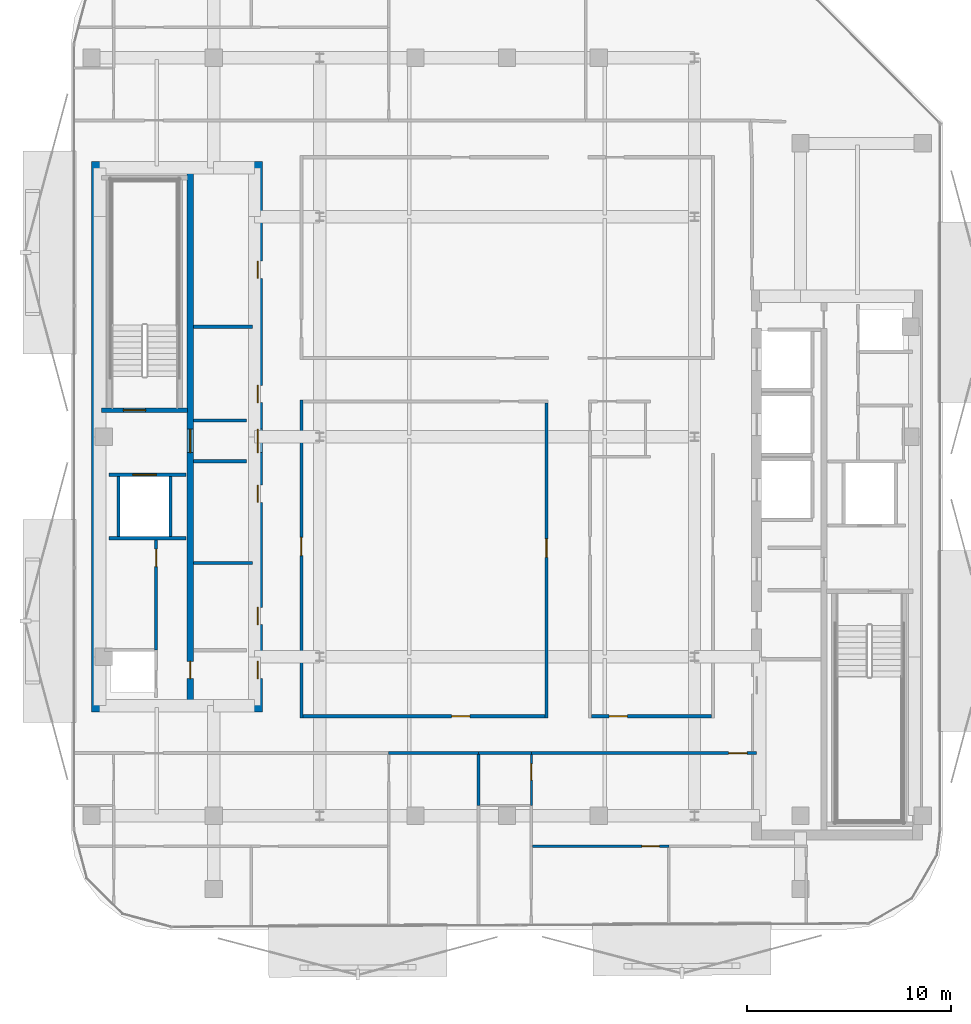
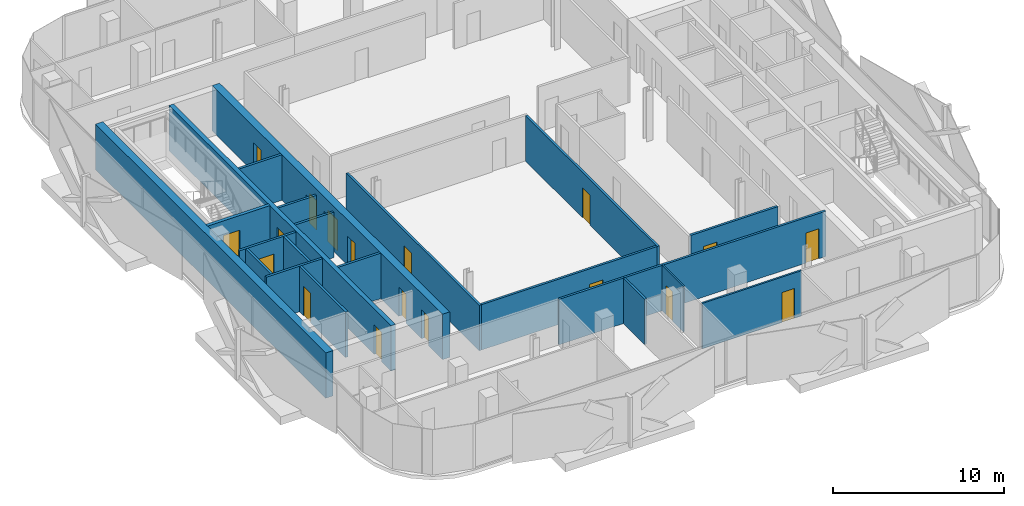
# One storey, part 3 of 15: 23 walls, 18 doors, 18 openings.
"""IFC4 building model written with IfcOpenShell, lengths in metres."""

import ifcopenshell
import ifcopenshell.guid

model = None  # the IFC model being written
_history = None  # IfcOwnerHistory: only IFC2X3 demands one
_inside = {}  # id of a spatial element -> (the spatial element, [elements in it])
_under = {}  # id of a project, library or spatial element -> (it, [spatial elements below it])
_declared = {}  # id of a project -> (the project, [libraries it declares])
_typed = {}  # id of a type object -> (the type object, [elements of that type])
_made_of = {}  # id of a material, layer set ... -> (it, [elements and type objects made of it])


def new_model(schema):
    """Start an empty IFC model of exactly this schema.

    Asked for "IFC4X3", IfcOpenShell would pick the latest addendum, in which some entities
    have other attributes; the version numbers below select the first issue.
    IFC2X3 requires an IfcOwnerHistory on every rooted entity: one is made here for all.
    """
    global model, _history
    if schema == "IFC4X3":
        model = ifcopenshell.file(schema_version=(4, 3, 0, 0))
    else:
        model = ifcopenshell.file(schema=schema)
    _inside.clear()
    _under.clear()
    _declared.clear()
    _typed.clear()
    _made_of.clear()
    _history = None
    if model.schema == "IFC2X3":
        org = make("IfcOrganization", Name="unknown")
        user = make(
            "IfcPersonAndOrganization",
            ThePerson=make("IfcPerson", FamilyName="unknown"),
            TheOrganization=org,
        )
        app = make(
            "IfcApplication",
            ApplicationDeveloper=org,
            Version="unknown",
            ApplicationFullName="unknown",
            ApplicationIdentifier="unknown",
        )
        _history = make(
            "IfcOwnerHistory",
            OwningUser=user,
            OwningApplication=app,
            ChangeAction="ADDED",
            CreationDate=0,
        )
    return model


def make(cls, **values):
    """One entity of the class cls with the attributes given. An attribute that is None is left unset."""
    return model.create_entity(
        cls, **{name: value for name, value in values.items() if value is not None}
    )


def rooted(cls, **values):
    """An entity with a GlobalId (a new one), such as an element, a storey or a relation."""
    return make(cls, GlobalId=ifcopenshell.guid.new(), OwnerHistory=_history, **values)


def si_unit(unit_type, name, prefix=None):
    """IfcSIUnit, for example si_unit("LENGTHUNIT", "METRE", prefix="MILLI")."""
    return make("IfcSIUnit", UnitType=unit_type, Prefix=prefix, Name=name)


def assignment(units):
    """IfcUnitAssignment: the units of a project."""
    return None if units is None else make("IfcUnitAssignment", Units=units)


def point(xyz):
    """IfcCartesianPoint."""
    return None if xyz is None else make("IfcCartesianPoint", Coordinates=xyz)


def direction(xyz):
    """IfcDirection."""
    return None if xyz is None else make("IfcDirection", DirectionRatios=xyz)


def frame(location, z_axis=None, x_axis=None):
    """IfcAxis2Placement3D, a coordinate frame: its origin and axes. An axis left out is left unset."""
    return make(
        "IfcAxis2Placement3D",
        Location=point(location),
        Axis=direction(z_axis),
        RefDirection=direction(x_axis),
    )


def frame_2d(location, x_axis=None):
    """IfcAxis2Placement2D, a coordinate frame in the plane: its origin and x axis."""
    return make(
        "IfcAxis2Placement2D", Location=point(location), RefDirection=direction(x_axis)
    )


def origin():
    """The frame at (0, 0, 0) with its axes left unset."""
    return frame((0.0, 0.0, 0.0))


def place(relative_to, where):
    """IfcLocalPlacement: puts the frame where relative to a parent placement (None: the world)."""
    return make(
        "IfcLocalPlacement", PlacementRelTo=relative_to, RelativePlacement=where
    )


def context(
    kind, dimensions, precision=None, world=None, true_north=None, identifier=None
):
    """IfcGeometricRepresentationContext, for example the 3D "Model" context."""
    return make(
        "IfcGeometricRepresentationContext",
        ContextIdentifier=identifier,
        ContextType=kind,
        CoordinateSpaceDimension=dimensions,
        Precision=precision,
        WorldCoordinateSystem=world,
        TrueNorth=true_north,
    )


def subcontext(parent, identifier, kind, view, scale=None):
    """IfcGeometricRepresentationSubContext, for example "Body" below "Model"."""
    return make(
        "IfcGeometricRepresentationSubContext",
        ContextIdentifier=identifier,
        ContextType=kind,
        ParentContext=parent,
        TargetScale=scale,
        TargetView=view,
    )


def project(units=None, contexts=None):
    """IfcProject with its units and contexts."""
    return rooted(
        "IfcProject",
        Name="project",
        RepresentationContexts=contexts,
        UnitsInContext=assignment(units),
    )


def spatial(cls, under=None, at=None, **own):
    """A site, building, storey or space (cls), placed at a placement, below another one or the project."""
    s = rooted(cls, ObjectPlacement=at, **own)
    if under is not None:
        _under.setdefault(under.id(), (under, []))[1].append(s)
    return s


def profile(cls, at=None, kind="AREA", **sizes):
    """A parametric profile (cls). Its sizes go by their IFC names, for example OverallWidth=200.0."""
    return make(cls, ProfileType=kind, Position=at, **sizes)


def rectangle(**sizes):
    """IfcRectangleProfileDef."""
    return profile("IfcRectangleProfileDef", **sizes)


def extrude(swept, where, along, depth):
    """IfcExtrudedAreaSolid: the profile swept, set in the frame where, extruded along a direction by depth."""
    return make(
        "IfcExtrudedAreaSolid",
        SweptArea=swept,
        Position=where,
        ExtrudedDirection=direction(along),
        Depth=depth,
    )


def shape(context_of_items, identifier, shape_type, items):
    """IfcShapeRepresentation: the items that make up one representation, for example the "Body"."""
    return make(
        "IfcShapeRepresentation",
        ContextOfItems=context_of_items,
        RepresentationIdentifier=identifier,
        RepresentationType=shape_type,
        Items=items,
    )


def material(Name=None, Category=None):
    """IfcMaterial."""
    return make("IfcMaterial", Name=Name, Category=Category)


def layer(
    of_material, thickness, ventilated=None, Name=None, Category=None, Priority=None
):
    """IfcMaterialLayer: one layer of a wall or slab, of a material (None: an air gap)."""
    return make(
        "IfcMaterialLayer",
        Material=of_material,
        LayerThickness=thickness,
        IsVentilated=ventilated,
        Name=Name,
        Category=Category,
        Priority=Priority,
    )


def layer_set(layers, Name=None):
    """IfcMaterialLayerSet."""
    return make("IfcMaterialLayerSet", MaterialLayers=layers, LayerSetName=Name)


def made_of(thing, what):
    """Note that an element or type object is made of a material, layer set ...; save() writes the relation."""
    if what is not None:
        _made_of.setdefault(what.id(), (what, []))[1].append(thing)
    return thing


def type_object(cls, material=None, **own):
    """A type object (cls), such as IfcWallType, which elements share."""
    return made_of(rooted(cls, **own), material)


def element(
    cls,
    number,
    at=None,
    inside=None,
    cuts=None,
    type_object=None,
    material=None,
    context=None,
    identifier="Body",
    shape_type=None,
    held_by="IfcProductDefinitionShape",
    body=None,
    shapes=None,
    **own,
):
    """One element of the class cls, such as IfcWall. Its Tag is "e" and its number.

    at: its placement. inside: the storey or other place that contains it. cuts: it is an
    opening in that element (IfcRelVoidsElement). A single representation is given by context,
    identifier, shape_type and body (its items); several are given by shapes. held_by: the class
    of the entity that holds the representations. save() writes the other relations.
    """
    e = rooted(cls, Tag="e%d" % number, ObjectPlacement=at, **own)
    if body is not None:
        shapes = [shape(context, identifier, shape_type, body)]
    if shapes is not None:
        e.Representation = make(held_by, Representations=shapes)
    if inside is not None:
        _inside.setdefault(inside.id(), (inside, []))[1].append(e)
    if cuts is not None:
        rooted(
            "IfcRelVoidsElement", RelatingBuildingElement=cuts, RelatedOpeningElement=e
        )
    if type_object is not None:
        _typed.setdefault(type_object.id(), (type_object, []))[1].append(e)
    return made_of(e, material)


def fill(opening, filler):
    """IfcRelFillsElement: the door or window that sits in an opening."""
    return rooted(
        "IfcRelFillsElement",
        RelatingOpeningElement=opening,
        RelatedBuildingElement=filler,
    )


def aggregate(whole, parts):
    """IfcRelAggregates: a whole, such as a stair, and the parts it consists of."""
    return rooted("IfcRelAggregates", RelatingObject=whole, RelatedObjects=parts)


def save(model, path):
    """Write the relations noted so far, then the file.

    IfcRelAggregates (storeys below a building ...), IfcRelContainedInSpatialStructure (elements
    in a storey), IfcRelDefinesByType, IfcRelAssociatesMaterial and IfcRelDeclares: one each for
    every whole, place, type object, material and project.
    """
    for whole, parts in _under.values():
        aggregate(whole, parts)
    for where, things in _inside.values():
        rooted(
            "IfcRelContainedInSpatialStructure",
            RelatedElements=things,
            RelatingStructure=where,
        )
    for kind, things in _typed.values():
        rooted("IfcRelDefinesByType", RelatedObjects=things, RelatingType=kind)
    for what, things in _made_of.values():
        rooted("IfcRelAssociatesMaterial", RelatedObjects=things, RelatingMaterial=what)
    for by, libraries in _declared.values():
        rooted("IfcRelDeclares", RelatingContext=by, RelatedDefinitions=libraries)
    model.write(path)


model = new_model("IFC4")

# Units and contexts
model_context = context("Model", 3, precision=1e-05, world=origin(), true_north=direction((0.0, 1.0)))
body_context = subcontext(model_context, "Body", "Model", "MODEL_VIEW")
ifc_project = project(units=[si_unit("LENGTHUNIT", "METRE"), si_unit("AREAUNIT", "SQUARE_METRE"), si_unit("VOLUMEUNIT", "CUBIC_METRE"), si_unit("PLANEANGLEUNIT", "RADIAN"), si_unit("MASSUNIT", "GRAM", prefix="KILO")], contexts=[model_context])

# Site, building, storey
site_placement = place(None, origin())
site = spatial("IfcSite", under=ifc_project, at=site_placement, CompositionType="ELEMENT")
building_placement = place(site_placement, origin())
building = spatial("IfcBuilding", under=site, at=building_placement, Name="Khairoan Windgate Tower", CompositionType="ELEMENT")
storey_placement = place(building_placement, frame((0.0, 0.0, 269.199951171875)))
storey = spatial("IfcBuildingStorey", under=building, at=storey_placement, Name="L64", CompositionType="ELEMENT", Elevation=269.199951171875)

# Wall, opening, door
ifc_material_1 = material(Name="Moisture-Resistant Gypsum Partition", Category="gypsum")
ifc_layer_1 = layer(ifc_material_1, 0.10009765625, Name="Moisture-Resistant Gypsum Partition")
ifc_layer_set_1 = layer_set([ifc_layer_1], Name="Moisture-Resistant Gypsum Partition")
wall_type_1 = type_object("IfcWallType", Name="Bathroom Wet-Area Partition Wall", PredefinedType="PARTITIONING", material=ifc_layer_set_1)
wall_1_placement = place(storey_placement, frame((1.18994140625, -18.10009765625, 0.0), z_axis=(0.0, 0.0, 1.0), x_axis=(0.0, 1.0, 0.0)))
wall_1 = element("IfcWall", 1, at=wall_1_placement, inside=storey, type_object=wall_type_1, Name="L64 Interior Partition 059", PredefinedType="PARTITIONING", context=body_context, shape_type="SweptSolid", body=[
    extrude(rectangle(XDim=2.5, YDim=0.10009765625, at=frame_2d((1.25, 0.0))), origin(), (0.0, 0.0, 1.0), 3.25),
])
opening_1_placement = place(wall_1_placement, frame((1.239990234375, 0.0, 0.0)))
opening_1 = element("IfcOpeningElement", 2, at=opening_1_placement, cuts=wall_1, Name="Opening ID-BTH", PredefinedType="OPENING", context=body_context, shape_type="SweptSolid", body=[
    extrude(rectangle(XDim=0.800048828125, YDim=2.10009765625, at=frame_2d((0.39990234375, 1.050048828125))), frame((0.0, 0.06005859375, 0.0), z_axis=(0.0, -1.0, 0.0), x_axis=(1.0, 0.0, 0.0)), (0.0, 0.0, 1.0), 0.1201171875),
])
ifc_material_2 = material(Name="Teak Veneer Timber Leaf", Category="wood")
door_type_1 = type_object("IfcDoorType", Name="Internal Bathroom Door ID-BTH 800x2100", OperationType="NOTDEFINED", PredefinedType="DOOR", material=ifc_material_2)
door_1_placement = place(opening_1_placement, origin())
door_1 = element("IfcDoor", 3, at=door_1_placement, inside=storey, type_object=door_type_1, Name="L64 L64-46-L64-48 Door", OperationType="SINGLE_SWING_LEFT", OverallHeight=2.10009765625, OverallWidth=0.800048828125, PredefinedType="DOOR", context=body_context, shape_type="SweptSolid", body=[
    extrude(rectangle(XDim=0.800048828125, YDim=2.10009765625, at=frame_2d((0.39990234375, 1.050048828125))), frame((0.0, 0.02490234375, 0.0), z_axis=(0.0, -1.0, 0.0), x_axis=(1.0, 0.0, 0.0)), (0.0, 0.0, 1.0), 0.050048828125),
])
fill(opening_1, door_1)

ifc_material_3 = material(Name="Concrete C40/50", Category="concrete")
ifc_layer_2 = layer(ifc_material_3, 0.159912109375, Name="Concrete C40/50")
ifc_layer_set_2 = layer_set([ifc_layer_2], Name="Concrete C40/50")
wall_type_2 = type_object("IfcWallType", Name="Core and Hoistway Enclosure Wall", PredefinedType="STANDARD", material=ifc_layer_set_2)
wall_2_placement = place(storey_placement, frame((-19.550048828125, -1.860107421875, 0.0), z_axis=(0.0, 0.0, 1.0), x_axis=(1.0, 0.0, 0.0)))
wall_2 = element("IfcWall", 4, at=wall_2_placement, inside=storey, type_object=wall_type_2, Name="L64 Core Shaft Wall SW-FL2-L64", PredefinedType="STANDARD", context=body_context, shape_type="SweptSolid", body=[
    extrude(rectangle(XDim=3.800048828125, YDim=0.159912109375, at=frame_2d((1.89990234375, 0.0))), origin(), (0.0, 0.0, 1.0), 3.25),
])
opening_2_placement = place(wall_2_placement, frame((1.179931640625, 0.0, 0.0)))
opening_2 = element("IfcOpeningElement", 5, at=opening_2_placement, cuts=wall_2, Name="Opening LD-FL", PredefinedType="OPENING", context=body_context, shape_type="SweptSolid", body=[
    extrude(rectangle(XDim=1.14990234375, YDim=2.199951171875, at=frame_2d((0.574951171875, 1.10009765625))), frame((0.0, 0.08984375, 0.0), z_axis=(0.0, -1.0, 0.0), x_axis=(1.0, 0.0, 0.0)), (0.0, 0.0, 1.0), 0.179931640625),
])
ifc_material_4 = material(Name="Steel S355", Category="steel")
door_type_2 = type_object("IfcDoorType", Name="Firefighting Lift Sliding Landing Door LD-FL 1150x2200", OperationType="DOUBLE_DOOR_SLIDING", PredefinedType="DOOR", material=ifc_material_4)
door_2_placement = place(opening_2_placement, origin())
door_2 = element("IfcDoor", 6, at=door_2_placement, inside=storey, type_object=door_type_2, Name="L64 Firefighting Lift FL2 Landing Door", OperationType="DOUBLE_DOOR_SLIDING", OverallHeight=2.199951171875, OverallWidth=1.14990234375, PredefinedType="DOOR", context=body_context, shape_type="SweptSolid", body=[
    extrude(rectangle(XDim=1.14990234375, YDim=2.199951171875, at=frame_2d((0.574951171875, 1.10009765625))), frame((0.0, 0.02490234375, 0.0), z_axis=(0.0, -1.0, 0.0), x_axis=(1.0, 0.0, 0.0)), (0.0, 0.0, 1.0), 0.050048828125),
])
fill(opening_2, door_2)

# Walls
wall_3_placement = place(storey_placement, frame((-19.550048828125, -4.97998046875, 0.0), z_axis=(0.0, 0.0, 1.0), x_axis=(1.0, 0.0, 0.0)))
element("IfcWall", 7, at=wall_3_placement, inside=storey, type_object=wall_type_2, Name="L64 Core Shaft Wall SW-FL2B-L64", PredefinedType="STANDARD", context=body_context, shape_type="SweptSolid", body=[
    extrude(rectangle(XDim=3.800048828125, YDim=0.159912109375, at=frame_2d((1.89990234375, 0.0))), origin(), (0.0, 0.0, 1.0), 3.25),
])
for number, where, z_axis, x_axis, name in (
    (8, (-19.080078125, -4.89990234375, 0.0), (0.0, 0.0, 1.0), (0.0, 1.0, 0.0), "L64 Core Shaft Wall SW-FL2W-L64"),
    (9, (-16.52001953125, -4.89990234375, 0.0), (0.0, 0.0, 1.0), (0.0, 1.0, 0.0), "L64 Core Shaft Wall SW-FL2E-L64"),
):
    element("IfcWall", number, at=place(storey_placement, frame(where, z_axis=z_axis, x_axis=x_axis)), inside=storey, type_object=wall_type_2, Name=name, PredefinedType="STANDARD", context=body_context, shape_type="SweptSolid", body=[
        extrude(rectangle(XDim=2.9599609375, YDim=0.159912109375, at=frame_2d((1.47998046875, 0.0))), origin(), (0.0, 0.0, 1.0), 3.25),
    ])
for number, where, z_axis, x_axis, name in (
    (10, (-15.39990234375, 0.800048828125, 0.0), (0.0, 0.0, 1.0), (1.0, 0.0, 0.0), "L64 Core Shaft Wall SW-WV1-L64"),
    (11, (-15.39990234375, -1.199951171875, 0.0), (0.0, 0.0, 1.0), (1.0, 0.0, 0.0), "L64 Core Shaft Wall SW-WV2-L64"),
):
    element("IfcWall", number, at=place(storey_placement, frame(where, z_axis=z_axis, x_axis=x_axis)), inside=storey, type_object=wall_type_2, Name=name, PredefinedType="STANDARD", context=body_context, shape_type="SweptSolid", body=[
        extrude(rectangle(XDim=2.599853515625, YDim=0.159912109375, at=frame_2d((1.2998046875, 0.0))), origin(), (0.0, 0.0, 1.0), 3.25),
    ])
ifc_material_5 = material(Name="Acoustic Fire-Rated Gypsum Partition", Category="gypsum")
ifc_layer_3 = layer(ifc_material_5, 0.139892578125, Name="Acoustic Fire-Rated Gypsum Partition")
ifc_layer_set_3 = layer_set([ifc_layer_3], Name="Acoustic Fire-Rated Gypsum Partition")
wall_type_3 = type_object("IfcWallType", Name="Inter-Tenancy Compartment Wall", PredefinedType="PARTITIONING", material=ifc_layer_set_3)
wall_4_placement = place(storey_placement, frame((-1.39990234375, -18.10009765625, 0.0), z_axis=(0.0, 0.0, 1.0), x_axis=(0.0, 1.0, 0.0)))
element("IfcWall", 12, at=wall_4_placement, inside=storey, type_object=wall_type_3, Name="L64 Interior Partition 055", PredefinedType="PARTITIONING", context=body_context, shape_type="SweptSolid", body=[
    extrude(rectangle(XDim=2.5, YDim=0.139892578125, at=frame_2d((1.25, 0.0))), origin(), (0.0, 0.0, 1.0), 3.25),
])

# Wall, opening, door
ifc_material_6 = material(Name="Gypsum Stud Partition", Category="gypsum")
ifc_layer_4 = layer(ifc_material_6, 0.1201171875, Name="Gypsum Stud Partition")
ifc_layer_set_4 = layer_set([ifc_layer_4], Name="Gypsum Stud Partition")
wall_type_4 = type_object("IfcWallType", Name="Internal Room Partition Wall", PredefinedType="PARTITIONING", material=ifc_layer_set_4)
wall_5_placement = place(storey_placement, frame((1.25, -20.10009765625, 0.0), z_axis=(0.0, 0.0, 1.0), x_axis=(1.0, 0.0, 0.0)))
wall_5 = element("IfcWall", 13, at=wall_5_placement, inside=storey, type_object=wall_type_4, Name="L64 Interior Partition 062", PredefinedType="PARTITIONING", context=body_context, shape_type="SweptSolid", body=[
    extrude(rectangle(XDim=6.68994140625, YDim=0.1201171875, at=frame_2d((3.344970703125, 0.0))), origin(), (0.0, 0.0, 1.0), 3.25),
])
opening_3_placement = place(wall_5_placement, frame((5.3701171875, 0.0, 0.0)))
opening_3 = element("IfcOpeningElement", 14, at=opening_3_placement, cuts=wall_5, Name="Opening ID-RM", PredefinedType="OPENING", context=body_context, shape_type="SweptSolid", body=[
    extrude(rectangle(XDim=0.860107421875, YDim=2.14990234375, at=frame_2d((0.43017578125, 1.074951171875))), frame((0.0, 0.070068359375, 0.0), z_axis=(0.0, -1.0, 0.0), x_axis=(1.0, 0.0, 0.0)), (0.0, 0.0, 1.0), 0.14013671875),
])
ifc_material_7 = material(Name="Teak Veneer Timber Leaf", Category="wood")
door_type_3 = type_object("IfcDoorType", Name="Internal Bedroom and Office Door ID-RM 860x2150", OperationType="NOTDEFINED", PredefinedType="DOOR", material=ifc_material_7)
door_3_placement = place(opening_3_placement, origin())
door_3 = element("IfcDoor", 15, at=door_3_placement, inside=storey, type_object=door_type_3, Name="L64 L64-48-L64-50 Door", OperationType="SINGLE_SWING_LEFT", OverallHeight=2.14990234375, OverallWidth=0.860107421875, PredefinedType="DOOR", context=body_context, shape_type="SweptSolid", body=[
    extrude(rectangle(XDim=0.860107421875, YDim=2.14990234375, at=frame_2d((0.43017578125, 1.074951171875))), frame((0.0, 0.02490234375, 0.0), z_axis=(0.0, -1.0, 0.0), x_axis=(1.0, 0.0, 0.0)), (0.0, 0.0, 1.0), 0.050048828125),
])
fill(opening_3, door_3)

ifc_material_8 = material(Name="Concrete C40/50", Category="concrete")
ifc_layer_5 = layer(ifc_material_8, 0.159912109375, Name="Concrete C40/50")
ifc_layer_set_5 = layer_set([ifc_layer_5], Name="Concrete C40/50")
wall_type_5 = type_object("IfcWallType", Name="Plant and Refuge Compartment Wall", PredefinedType="PARTITIONING", material=ifc_layer_set_5)
wall_6_placement = place(storey_placement, frame((-17.22998046875, -10.469970703125, 0.0), z_axis=(0.0, 0.0, 1.0), x_axis=(0.0, 1.0, 0.0)))
wall_6 = element("IfcWall", 16, at=wall_6_placement, inside=storey, type_object=wall_type_5, Name="L64 Interior Partition 002", PredefinedType="PARTITIONING", context=body_context, shape_type="SweptSolid", body=[
    extrude(rectangle(XDim=5.409912109375, YDim=0.159912109375, at=frame_2d((2.705078125, 0.0))), origin(), (0.0, 0.0, 1.0), 3.25),
])
opening_4_placement = place(wall_6_placement, frame((4.10009765625, 0.0, 0.0)))
opening_4 = element("IfcOpeningElement", 17, at=opening_4_placement, cuts=wall_6, Name="Opening FD-SRV", PredefinedType="OPENING", context=body_context, shape_type="SweptSolid", body=[
    extrude(rectangle(XDim=0.85009765625, YDim=2.10009765625, at=frame_2d((0.425048828125, 1.050048828125))), frame((0.0, 0.08984375, 0.0), z_axis=(0.0, -1.0, 0.0), x_axis=(1.0, 0.0, 0.0)), (0.0, 0.0, 1.0), 0.179931640625),
])
ifc_material_9 = material(Name="Steel S355", Category="steel")
door_type_4 = type_object("IfcDoorType", Name="Core Service and Riser Fire Door FD-SRV 850x2100", OperationType="NOTDEFINED", PredefinedType="DOOR", material=ifc_material_9)
door_4_placement = place(opening_4_placement, origin())
door_4 = element("IfcDoor", 18, at=door_4_placement, inside=storey, type_object=door_type_4, Name="L64 L64-04-L64-06 Door", OperationType="SINGLE_SWING_LEFT", OverallHeight=2.10009765625, OverallWidth=0.85009765625, PredefinedType="DOOR", context=body_context, shape_type="SweptSolid", body=[
    extrude(rectangle(XDim=0.85009765625, YDim=2.10009765625, at=frame_2d((0.425048828125, 1.050048828125))), frame((0.0, 0.02490234375, 0.0), z_axis=(0.0, -1.0, 0.0), x_axis=(1.0, 0.0, 0.0)), (0.0, 0.0, 1.0), 0.050048828125),
])
fill(opening_4, door_4)

# Walls
for number, where, z_axis, x_axis, name in (
    (19, (-15.39990234375, 5.39990234375, 0.0), (0.0, 0.0, 1.0), (1.0, 0.0, 0.0), "L64 Interior Partition 004"),
    (20, (-15.39990234375, -6.199951171875, 0.0), (0.0, 0.0, 1.0), (1.0, 0.0, 0.0), "L64 Interior Partition 005"),
):
    element("IfcWall", number, at=place(storey_placement, frame(where, z_axis=z_axis, x_axis=x_axis)), inside=storey, type_object=wall_type_5, Name=name, PredefinedType="PARTITIONING", context=body_context, shape_type="SweptSolid", body=[
        extrude(rectangle(XDim=2.89990234375, YDim=0.159912109375, at=frame_2d((1.449951171875, 0.0))), origin(), (0.0, 0.0, 1.0), 3.25),
    ])

# Wall, opening, door
ifc_material_10 = material(Name="Acoustic Fire-Rated Gypsum Partition", Category="gypsum")
ifc_layer_6 = layer(ifc_material_10, 0.14990234375, Name="Acoustic Fire-Rated Gypsum Partition")
ifc_layer_set_6 = layer_set([ifc_layer_6], Name="Acoustic Fire-Rated Gypsum Partition")
wall_type_6 = type_object("IfcWallType", Name="Rated Corridor Partition Wall", PredefinedType="PARTITIONING", material=ifc_layer_set_6)
wall_7_placement = place(storey_placement, frame((-10.10009765625, -13.794921875, 0.0), z_axis=(0.0, 0.0, 1.0), x_axis=(0.0, 1.0, 0.0)))
wall_7 = element("IfcWall", 21, at=wall_7_placement, inside=storey, type_object=wall_type_6, Name="L64 Interior Partition 013", PredefinedType="PARTITIONING", context=body_context, shape_type="SweptSolid", body=[
    extrude(rectangle(XDim=15.60498046875, YDim=0.14990234375, at=frame_2d((7.802490234375, 0.0))), origin(), (0.0, 0.0, 1.0), 3.25),
])
opening_5_placement = place(wall_7_placement, frame((7.960693359375, 0.0, 0.0)))
opening_5 = element("IfcOpeningElement", 22, at=opening_5_placement, cuts=wall_7, Name="Opening FD-ENT", PredefinedType="OPENING", context=body_context, shape_type="SweptSolid", body=[
    extrude(rectangle(XDim=0.89990234375, YDim=2.14990234375, at=frame_2d((0.449951171875, 1.074951171875))), frame((0.0, 0.0849609375, 0.0), z_axis=(0.0, -1.0, 0.0), x_axis=(1.0, 0.0, 0.0)), (0.0, 0.0, 1.0), 0.169921875),
])
ifc_material_11 = material(Name="Timber Fire-Rated Core", Category="wood")
door_type_5 = type_object("IfcDoorType", Name="Unit and Office Fire Entrance Door FD-ENT 900x2150", OperationType="NOTDEFINED", PredefinedType="DOOR", material=ifc_material_11)
door_5_placement = place(opening_5_placement, origin())
door_5 = element("IfcDoor", 23, at=door_5_placement, inside=storey, type_object=door_type_5, Name="L64 L64-27-L64-54 Door", OperationType="SINGLE_SWING_RIGHT", OverallHeight=2.14990234375, OverallWidth=0.89990234375, PredefinedType="DOOR", context=body_context, shape_type="SweptSolid", body=[
    extrude(rectangle(XDim=0.89990234375, YDim=2.14990234375, at=frame_2d((0.449951171875, 1.074951171875))), frame((0.0, 0.02490234375, 0.0), z_axis=(0.0, -1.0, 0.0), x_axis=(1.0, 0.0, 0.0)), (0.0, 0.0, 1.0), 0.050048828125),
])
fill(opening_5, door_5)

wall_8_placement = place(storey_placement, frame((1.93505859375, -13.794921875, 0.0), z_axis=(0.0, 0.0, 1.0), x_axis=(0.0, 1.0, 0.0)))
wall_8 = element("IfcWall", 24, at=wall_8_placement, inside=storey, type_object=wall_type_6, Name="L64 Interior Partition 021", PredefinedType="PARTITIONING", context=body_context, shape_type="SweptSolid", body=[
    extrude(rectangle(XDim=15.454833984375, YDim=0.14990234375, at=frame_2d((7.7275390625, 0.0))), origin(), (0.0, 0.0, 1.0), 3.25),
])
opening_6_placement = place(wall_8_placement, frame((7.87890625, 0.0, 0.0)))
opening_6 = element("IfcOpeningElement", 25, at=opening_6_placement, cuts=wall_8, Name="Opening FD-ENT", PredefinedType="OPENING", context=body_context, shape_type="SweptSolid", body=[
    extrude(rectangle(XDim=0.89990234375, YDim=2.14990234375, at=frame_2d((0.449951171875, 1.074951171875))), frame((0.0, 0.0849609375, 0.0), z_axis=(0.0, -1.0, 0.0), x_axis=(1.0, 0.0, 0.0)), (0.0, 0.0, 1.0), 0.169921875),
])
door_6_placement = place(opening_6_placement, origin())
door_6 = element("IfcDoor", 26, at=door_6_placement, inside=storey, type_object=door_type_5, Name="L64 L64-30-L64-54 Door", OperationType="SINGLE_SWING_RIGHT", OverallHeight=2.14990234375, OverallWidth=0.89990234375, PredefinedType="DOOR", context=body_context, shape_type="SweptSolid", body=[
    extrude(rectangle(XDim=0.89990234375, YDim=2.14990234375, at=frame_2d((0.449951171875, 1.074951171875))), frame((0.0, 0.02490234375, 0.0), z_axis=(0.0, -1.0, 0.0), x_axis=(1.0, 0.0, 0.0)), (0.0, 0.0, 1.0), 0.050048828125),
])
fill(opening_6, door_6)

# Walls
wall_9_placement = place(storey_placement, frame((-5.81005859375, -15.52490234375, 0.0), z_axis=(0.0, 0.0, 1.0), x_axis=(1.0, 0.0, 0.0)))
element("IfcWall", 27, at=wall_9_placement, inside=storey, type_object=wall_type_6, Name="L64 Interior Partition 031", PredefinedType="PARTITIONING", context=body_context, shape_type="SweptSolid", body=[
    extrude(rectangle(XDim=4.41015625, YDim=0.14990234375, at=frame_2d((2.205078125, 0.0))), origin(), (0.0, 0.0, 1.0), 3.25),
])
wall_10_placement = place(storey_placement, frame((-1.39990234375, -15.52490234375, 0.0), z_axis=(0.0, 0.0, 1.0), x_axis=(1.0, 0.0, 0.0)))
element("IfcWall", 28, at=wall_10_placement, inside=storey, type_object=wall_type_6, Name="L64 Interior Partition 032", PredefinedType="PARTITIONING", context=body_context, shape_type="SweptSolid", body=[
    extrude(rectangle(XDim=2.58984375, YDim=0.14990234375, at=frame_2d((1.294921875, 0.0))), origin(), (0.0, 0.0, 1.0), 3.25),
])

# Wall, opening, door
wall_11_placement = place(storey_placement, frame((1.18994140625, -15.52490234375, 0.0), z_axis=(0.0, 0.0, 1.0), x_axis=(1.0, 0.0, 0.0)))
wall_11 = element("IfcWall", 29, at=wall_11_placement, inside=storey, type_object=wall_type_6, Name="L64 Interior Partition 033", PredefinedType="PARTITIONING", context=body_context, shape_type="SweptSolid", body=[
    extrude(rectangle(XDim=11.050048828125, YDim=0.14990234375, at=frame_2d((5.52490234375, 0.0))), origin(), (0.0, 0.0, 1.0), 3.25),
])
opening_7_placement = place(wall_11_placement, frame((9.68994140625, 0.0, 0.0)))
opening_7 = element("IfcOpeningElement", 30, at=opening_7_placement, cuts=wall_11, Name="Opening FD-ENT", PredefinedType="OPENING", context=body_context, shape_type="SweptSolid", body=[
    extrude(rectangle(XDim=0.89990234375, YDim=2.14990234375, at=frame_2d((0.449951171875, 1.074951171875))), frame((0.0, 0.0849609375, 0.0), z_axis=(0.0, -1.0, 0.0), x_axis=(1.0, 0.0, 0.0)), (0.0, 0.0, 1.0), 0.169921875),
])
door_7_placement = place(opening_7_placement, origin())
door_7 = element("IfcDoor", 31, at=door_7_placement, inside=storey, type_object=door_type_5, Name="L64 L64-32-L64-48 Door", OperationType="SINGLE_SWING_RIGHT", OverallHeight=2.14990234375, OverallWidth=0.89990234375, PredefinedType="DOOR", context=body_context, shape_type="SweptSolid", body=[
    extrude(rectangle(XDim=0.89990234375, YDim=2.14990234375, at=frame_2d((0.449951171875, 1.074951171875))), frame((0.0, 0.02490234375, 0.0), z_axis=(0.0, -1.0, 0.0), x_axis=(1.0, 0.0, 0.0)), (0.0, 0.0, 1.0), 0.050048828125),
])
fill(opening_7, door_7)

wall_12_placement = place(storey_placement, frame((-10.02490234375, -13.719970703125, 0.0), z_axis=(0.0, 0.0, 1.0), x_axis=(1.0, 0.0, 0.0)))
wall_12 = element("IfcWall", 32, at=wall_12_placement, inside=storey, type_object=wall_type_6, Name="L64 Interior Partition 034", PredefinedType="PARTITIONING", context=body_context, shape_type="SweptSolid", body=[
    extrude(rectangle(XDim=11.885009765625, YDim=0.14990234375, at=frame_2d((5.9423828125, 0.0))), origin(), (0.0, 0.0, 1.0), 3.25),
])
opening_8_placement = place(wall_12_placement, frame((7.30419921875, 0.0, 0.0)))
opening_8 = element("IfcOpeningElement", 33, at=opening_8_placement, cuts=wall_12, Name="Opening FD-ENT", PredefinedType="OPENING", context=body_context, shape_type="SweptSolid", body=[
    extrude(rectangle(XDim=0.89990234375, YDim=2.14990234375, at=frame_2d((0.449951171875, 1.074951171875))), frame((0.0, 0.0849609375, 0.0), z_axis=(0.0, -1.0, 0.0), x_axis=(1.0, 0.0, 0.0)), (0.0, 0.0, 1.0), 0.169921875),
])
door_8_placement = place(opening_8_placement, origin())
door_8 = element("IfcDoor", 34, at=door_8_placement, inside=storey, type_object=door_type_5, Name="L64 L64-32-L64-54 Door", OperationType="SINGLE_SWING_LEFT", OverallHeight=2.14990234375, OverallWidth=0.89990234375, PredefinedType="DOOR", context=body_context, shape_type="SweptSolid", body=[
    extrude(rectangle(XDim=0.89990234375, YDim=2.14990234375, at=frame_2d((0.449951171875, 1.074951171875))), frame((0.0, 0.02490234375, 0.0), z_axis=(0.0, -1.0, 0.0), x_axis=(1.0, 0.0, 0.0)), (0.0, 0.0, 1.0), 0.050048828125),
])
fill(opening_8, door_8)

wall_13_placement = place(storey_placement, frame((4.139892578125, -13.719970703125, 0.0), z_axis=(0.0, 0.0, 1.0), x_axis=(1.0, 0.0, 0.0)))
wall_13 = element("IfcWall", 35, at=wall_13_placement, inside=storey, type_object=wall_type_6, Name="L64 Interior Partition 035", PredefinedType="PARTITIONING", context=body_context, shape_type="SweptSolid", body=[
    extrude(rectangle(XDim=5.885009765625, YDim=0.14990234375, at=frame_2d((2.9423828125, 0.0))), origin(), (0.0, 0.0, 1.0), 3.25),
])
opening_9_placement = place(wall_13_placement, frame((0.866455078125, 0.0, 0.0)))
opening_9 = element("IfcOpeningElement", 36, at=opening_9_placement, cuts=wall_13, Name="Opening FD-ENT", PredefinedType="OPENING", context=body_context, shape_type="SweptSolid", body=[
    extrude(rectangle(XDim=0.89990234375, YDim=2.14990234375, at=frame_2d((0.449951171875, 1.074951171875))), frame((0.0, 0.0849609375, 0.0), z_axis=(0.0, -1.0, 0.0), x_axis=(1.0, 0.0, 0.0)), (0.0, 0.0, 1.0), 0.169921875),
])
door_9_placement = place(opening_9_placement, origin())
door_9 = element("IfcDoor", 37, at=door_9_placement, inside=storey, type_object=door_type_5, Name="L64 L64-32-L64-57 Door", OperationType="SINGLE_SWING_RIGHT", OverallHeight=2.14990234375, OverallWidth=0.89990234375, PredefinedType="DOOR", context=body_context, shape_type="SweptSolid", body=[
    extrude(rectangle(XDim=0.89990234375, YDim=2.14990234375, at=frame_2d((0.449951171875, 1.074951171875))), frame((0.0, 0.02490234375, 0.0), z_axis=(0.0, -1.0, 0.0), x_axis=(1.0, 0.0, 0.0)), (0.0, 0.0, 1.0), 0.050048828125),
])
fill(opening_9, door_9)

# Wall
ifc_material_12 = material(Name="Concrete C50/60", Category="concrete")
ifc_layer_7 = layer(ifc_material_12, 0.5, Name="Concrete C50/60")
ifc_layer_set_7 = layer_set([ifc_layer_7], Name="Concrete C50/60")
wall_type_7 = type_object("IfcWallType", Name="Shear Wall CW-W3 500mm", PredefinedType="SHEAR", material=ifc_layer_set_7)
wall_14_placement = place(storey_placement, frame((-20.14990234375, -13.5, 0.0), z_axis=(0.0, 0.0, 1.0), x_axis=(0.0, 1.0, 0.0)))
element("IfcWall", 38, at=wall_14_placement, inside=storey, type_object=wall_type_7, Name="W Core West Shear Wall L64", PredefinedType="SHEAR", context=body_context, shape_type="SweptSolid", body=[
    extrude(rectangle(XDim=27.0, YDim=0.5, at=frame_2d((13.5, 0.0))), origin(), (0.0, 0.0, 1.0), 3.25),
])

# Wall, openings, doors
wall_15_placement = place(storey_placement, frame((-12.25, -13.5, 0.0), z_axis=(0.0, 0.0, 1.0), x_axis=(0.0, 1.0, 0.0)))
wall_15 = element("IfcWall", 39, at=wall_15_placement, inside=storey, type_object=wall_type_7, Name="W Core East Shear Wall L64", PredefinedType="SHEAR", context=body_context, shape_type="SweptSolid", body=[
    extrude(rectangle(XDim=27.0, YDim=0.5, at=frame_2d((13.5, 0.0))), origin(), (0.0, 0.0, 1.0), 3.25),
])
opening_10_placement = place(wall_15_placement, frame((15.175048828125, 0.0, 0.0)))
opening_10 = element("IfcOpeningElement", 40, at=opening_10_placement, cuts=wall_15, Name="Opening FD-SRV", PredefinedType="OPENING", context=body_context, shape_type="SweptSolid", body=[
    extrude(rectangle(XDim=0.85009765625, YDim=2.10009765625, at=frame_2d((0.425048828125, 1.050048828125))), frame((0.0, 0.260009765625, 0.0), z_axis=(0.0, -1.0, 0.0), x_axis=(1.0, 0.0, 0.0)), (0.0, 0.0, 1.0), 0.52001953125),
])
opening_11_placement = place(wall_15_placement, frame((21.27490234375, 0.0, 0.0)))
opening_11 = element("IfcOpeningElement", 41, at=opening_11_placement, cuts=wall_15, Name="Opening FD-SRV", PredefinedType="OPENING", context=body_context, shape_type="SweptSolid", body=[
    extrude(rectangle(XDim=0.85009765625, YDim=2.10009765625, at=frame_2d((0.425048828125, 1.050048828125))), frame((0.0, 0.260009765625, 0.0), z_axis=(0.0, -1.0, 0.0), x_axis=(1.0, 0.0, 0.0)), (0.0, 0.0, 1.0), 0.52001953125),
])
opening_12_placement = place(wall_15_placement, frame((4.27490234375, 0.0, 0.0)))
opening_12 = element("IfcOpeningElement", 42, at=opening_12_placement, cuts=wall_15, Name="Opening FD-SRV", PredefinedType="OPENING", context=body_context, shape_type="SweptSolid", body=[
    extrude(rectangle(XDim=0.85009765625, YDim=2.10009765625, at=frame_2d((0.425048828125, 1.050048828125))), frame((0.0, 0.260009765625, 0.0), z_axis=(0.0, -1.0, 0.0), x_axis=(1.0, 0.0, 0.0)), (0.0, 0.0, 1.0), 0.52001953125),
])
opening_13_placement = place(wall_15_placement, frame((10.27490234375, 0.0, 0.0)))
opening_13 = element("IfcOpeningElement", 43, at=opening_13_placement, cuts=wall_15, Name="Opening FD-SRV", PredefinedType="OPENING", context=body_context, shape_type="SweptSolid", body=[
    extrude(rectangle(XDim=0.85009765625, YDim=2.10009765625, at=frame_2d((0.425048828125, 1.050048828125))), frame((0.0, 0.260009765625, 0.0), z_axis=(0.0, -1.0, 0.0), x_axis=(1.0, 0.0, 0.0)), (0.0, 0.0, 1.0), 0.52001953125),
])
opening_14_placement = place(wall_15_placement, frame((12.72509765625, 0.0, 0.0)))
opening_14 = element("IfcOpeningElement", 44, at=opening_14_placement, cuts=wall_15, Name="Opening FD-FFL", PredefinedType="OPENING", context=body_context, shape_type="SweptSolid", body=[
    extrude(rectangle(XDim=1.14990234375, YDim=2.199951171875, at=frame_2d((0.574951171875, 1.10009765625))), frame((0.0, 0.260009765625, 0.0), z_axis=(0.0, -1.0, 0.0), x_axis=(1.0, 0.0, 0.0)), (0.0, 0.0, 1.0), 0.52001953125),
])
opening_15_placement = place(wall_15_placement, frame((1.625, 0.0, 0.0)))
opening_15 = element("IfcOpeningElement", 45, at=opening_15_placement, cuts=wall_15, Name="Opening FD-SRV", PredefinedType="OPENING", context=body_context, shape_type="SweptSolid", body=[
    extrude(rectangle(XDim=0.85009765625, YDim=2.10009765625, at=frame_2d((0.425048828125, 1.050048828125))), frame((0.0, 0.260009765625, 0.0), z_axis=(0.0, -1.0, 0.0), x_axis=(1.0, 0.0, 0.0)), (0.0, 0.0, 1.0), 0.52001953125),
])
door_10_placement = place(opening_10_placement, origin())
door_10 = element("IfcDoor", 46, at=door_10_placement, inside=storey, type_object=door_type_4, Name="L64 Upper Core Room Door B1-1", OperationType="SINGLE_SWING_RIGHT", OverallHeight=2.10009765625, OverallWidth=0.85009765625, PredefinedType="DOOR", context=body_context, shape_type="SweptSolid", body=[
    extrude(rectangle(XDim=0.85009765625, YDim=2.10009765625, at=frame_2d((0.425048828125, 1.050048828125))), frame((0.0, 0.02490234375, 0.0), z_axis=(0.0, -1.0, 0.0), x_axis=(1.0, 0.0, 0.0)), (0.0, 0.0, 1.0), 0.050048828125),
])
fill(opening_10, door_10)
door_11_placement = place(opening_11_placement, origin())
door_11 = element("IfcDoor", 47, at=door_11_placement, inside=storey, type_object=door_type_4, Name="L64 Upper Core Room Door B1-2", OperationType="SINGLE_SWING_LEFT", OverallHeight=2.10009765625, OverallWidth=0.85009765625, PredefinedType="DOOR", context=body_context, shape_type="SweptSolid", body=[
    extrude(rectangle(XDim=0.85009765625, YDim=2.10009765625, at=frame_2d((0.425048828125, 1.050048828125))), frame((0.0, 0.02490234375, 0.0), z_axis=(0.0, -1.0, 0.0), x_axis=(1.0, 0.0, 0.0)), (0.0, 0.0, 1.0), 0.050048828125),
])
fill(opening_11, door_11)
door_12_placement = place(opening_12_placement, origin())
door_12 = element("IfcDoor", 48, at=door_12_placement, inside=storey, type_object=door_type_4, Name="L64 Upper Core Room Door B2-1", OperationType="SINGLE_SWING_RIGHT", OverallHeight=2.10009765625, OverallWidth=0.85009765625, PredefinedType="DOOR", context=body_context, shape_type="SweptSolid", body=[
    extrude(rectangle(XDim=0.85009765625, YDim=2.10009765625, at=frame_2d((0.425048828125, 1.050048828125))), frame((0.0, 0.02490234375, 0.0), z_axis=(0.0, -1.0, 0.0), x_axis=(1.0, 0.0, 0.0)), (0.0, 0.0, 1.0), 0.050048828125),
])
fill(opening_12, door_12)
door_13_placement = place(opening_13_placement, origin())
door_13 = element("IfcDoor", 49, at=door_13_placement, inside=storey, type_object=door_type_4, Name="L64 Upper Core Room Door B2-2", OperationType="SINGLE_SWING_LEFT", OverallHeight=2.10009765625, OverallWidth=0.85009765625, PredefinedType="DOOR", context=body_context, shape_type="SweptSolid", body=[
    extrude(rectangle(XDim=0.85009765625, YDim=2.10009765625, at=frame_2d((0.425048828125, 1.050048828125))), frame((0.0, 0.02490234375, 0.0), z_axis=(0.0, -1.0, 0.0), x_axis=(1.0, 0.0, 0.0)), (0.0, 0.0, 1.0), 0.050048828125),
])
fill(opening_13, door_13)
door_14_placement = place(opening_15_placement, origin())
door_14 = element("IfcDoor", 50, at=door_14_placement, inside=storey, type_object=door_type_4, Name="L64 West Core Service Vestibule Outer Door", OperationType="SINGLE_SWING_RIGHT", OverallHeight=2.10009765625, OverallWidth=0.85009765625, PredefinedType="DOOR", context=body_context, shape_type="SweptSolid", body=[
    extrude(rectangle(XDim=0.85009765625, YDim=2.10009765625, at=frame_2d((0.425048828125, 1.050048828125))), frame((0.0, 0.02490234375, 0.0), z_axis=(0.0, -1.0, 0.0), x_axis=(1.0, 0.0, 0.0)), (0.0, 0.0, 1.0), 0.050048828125),
])
fill(opening_15, door_14)
ifc_material_13 = material(Name="Steel S355", Category="steel")
door_type_6 = type_object("IfcDoorType", Name="Firefighting Lobby Fire Door FD-FFL 1150x2200", OperationType="NOTDEFINED", PredefinedType="DOOR", material=ifc_material_13)
door_15_placement = place(opening_14_placement, origin())
door_15 = element("IfcDoor", 51, at=door_15_placement, inside=storey, type_object=door_type_6, Name="L64 West Core Vestibule Entry Door", OperationType="SINGLE_SWING_RIGHT", OverallHeight=2.199951171875, OverallWidth=1.14990234375, PredefinedType="DOOR", context=body_context, shape_type="SweptSolid", body=[
    extrude(rectangle(XDim=1.14990234375, YDim=2.199951171875, at=frame_2d((0.574951171875, 1.10009765625))), frame((0.0, 0.02490234375, 0.0), z_axis=(0.0, -1.0, 0.0), x_axis=(1.0, 0.0, 0.0)), (0.0, 0.0, 1.0), 0.050048828125),
])
fill(opening_14, door_15)

ifc_material_14 = material(Name="Concrete C50/60", Category="concrete")
ifc_layer_8 = layer(ifc_material_14, 0.300048828125, Name="Concrete C50/60")
ifc_layer_set_8 = layer_set([ifc_layer_8], Name="Concrete C50/60")
wall_type_8 = type_object("IfcWallType", Name="Shear Wall SW-2 300mm", PredefinedType="SHEAR", material=ifc_layer_set_8)
wall_16_placement = place(storey_placement, frame((-15.550048828125, -13.0, 0.0), z_axis=(0.0, 0.0, 1.0), x_axis=(0.0, 1.0, 0.0)))
wall_16 = element("IfcWall", 52, at=wall_16_placement, inside=storey, type_object=wall_type_8, Name="W Core Spine Shear Wall L64", PredefinedType="SHEAR", context=body_context, shape_type="SweptSolid", body=[
    extrude(rectangle(XDim=26.0, YDim=0.300048828125, at=frame_2d((13.0, 0.0))), origin(), (0.0, 0.0, 1.0), 3.25),
])
opening_16_placement = place(wall_16_placement, frame((12.22509765625, 0.0, 0.0)))
opening_16 = element("IfcOpeningElement", 53, at=opening_16_placement, cuts=wall_16, Name="Opening FD-FFL", PredefinedType="OPENING", context=body_context, shape_type="SweptSolid", body=[
    extrude(rectangle(XDim=1.14990234375, YDim=2.199951171875, at=frame_2d((0.574951171875, 1.10009765625))), frame((0.0, 0.159912109375, 0.0), z_axis=(0.0, -1.0, 0.0), x_axis=(1.0, 0.0, 0.0)), (0.0, 0.0, 1.0), 0.320068359375),
])
opening_17_placement = place(wall_16_placement, frame((1.125, 0.0, 0.0)))
opening_17 = element("IfcOpeningElement", 54, at=opening_17_placement, cuts=wall_16, Name="Opening FD-SRV", PredefinedType="OPENING", context=body_context, shape_type="SweptSolid", body=[
    extrude(rectangle(XDim=0.85009765625, YDim=2.10009765625, at=frame_2d((0.425048828125, 1.050048828125))), frame((0.0, 0.159912109375, 0.0), z_axis=(0.0, -1.0, 0.0), x_axis=(1.0, 0.0, 0.0)), (0.0, 0.0, 1.0), 0.320068359375),
])
door_16_placement = place(opening_17_placement, origin())
door_16 = element("IfcDoor", 55, at=door_16_placement, inside=storey, type_object=door_type_4, Name="L64 West Core Service Passage Inner Door", OperationType="SINGLE_SWING_LEFT", OverallHeight=2.10009765625, OverallWidth=0.85009765625, PredefinedType="DOOR", context=body_context, shape_type="SweptSolid", body=[
    extrude(rectangle(XDim=0.85009765625, YDim=2.10009765625, at=frame_2d((0.425048828125, 1.050048828125))), frame((0.0, 0.02490234375, 0.0), z_axis=(0.0, -1.0, 0.0), x_axis=(1.0, 0.0, 0.0)), (0.0, 0.0, 1.0), 0.050048828125),
])
fill(opening_17, door_16)
door_17_placement = place(opening_16_placement, origin())
door_17 = element("IfcDoor", 56, at=door_17_placement, inside=storey, type_object=door_type_6, Name="L64 West Firefighting Lobby Fire Door", OperationType="SINGLE_SWING_LEFT", OverallHeight=2.199951171875, OverallWidth=1.14990234375, PredefinedType="DOOR", context=body_context, shape_type="SweptSolid", body=[
    extrude(rectangle(XDim=1.14990234375, YDim=2.199951171875, at=frame_2d((0.574951171875, 1.10009765625))), frame((0.0, 0.02490234375, 0.0), z_axis=(0.0, -1.0, 0.0), x_axis=(1.0, 0.0, 0.0)), (0.0, 0.0, 1.0), 0.050048828125),
])
fill(opening_16, door_17)

# Wall, opening, door
ifc_material_15 = material(Name="Concrete C50/60", Category="concrete")
ifc_layer_9 = layer(ifc_material_15, 0.219970703125, Name="Concrete C50/60")
ifc_layer_set_9 = layer_set([ifc_layer_9], Name="Concrete C50/60")
wall_type_9 = type_object("IfcWallType", Name="Shear Wall SW-ST 220mm", PredefinedType="SHEAR", material=ifc_layer_set_9)
wall_17_placement = place(storey_placement, frame((-19.919921875, 1.2900390625, 0.0), z_axis=(0.0, 0.0, 1.0), x_axis=(1.0, 0.0, 0.0)))
wall_17 = element("IfcWall", 57, at=wall_17_placement, inside=storey, type_object=wall_type_9, Name="L64 Stair ST2 South Bearing Wall", PredefinedType="SHEAR", context=body_context, shape_type="SweptSolid", body=[
    extrude(rectangle(XDim=4.239990234375, YDim=0.219970703125, at=frame_2d((2.1201171875, 0.0))), origin(), (0.0, 0.0, 1.0), 3.25),
])
opening_18_placement = place(wall_17_placement, frame((1.080078125, 0.0, 0.0)))
opening_18 = element("IfcOpeningElement", 58, at=opening_18_placement, cuts=wall_17, Name="Opening FD-ST", PredefinedType="OPENING", context=body_context, shape_type="SweptSolid", body=[
    extrude(rectangle(XDim=1.10009765625, YDim=2.199951171875, at=frame_2d((0.550048828125, 1.10009765625))), frame((0.0, 0.119873046875, 0.0), z_axis=(0.0, -1.0, 0.0), x_axis=(1.0, 0.0, 0.0)), (0.0, 0.0, 1.0), 0.239990234375),
])
ifc_material_16 = material(Name="Steel S355", Category="steel")
door_type_7 = type_object("IfcDoorType", Name="Smokeproof Stair Fire Door FD-ST 1100x2200", OperationType="NOTDEFINED", PredefinedType="DOOR", material=ifc_material_16)
door_18_placement = place(opening_18_placement, origin())
door_18 = element("IfcDoor", 59, at=door_18_placement, inside=storey, type_object=door_type_7, Name="L64 Stair ST2 Fire Door", OperationType="SINGLE_SWING_LEFT", OverallHeight=2.199951171875, OverallWidth=1.10009765625, PredefinedType="DOOR", context=body_context, shape_type="SweptSolid", body=[
    extrude(rectangle(XDim=1.10009765625, YDim=2.199951171875, at=frame_2d((0.550048828125, 1.10009765625))), frame((0.0, 0.02490234375, 0.0), z_axis=(0.0, -1.0, 0.0), x_axis=(1.0, 0.0, 0.0)), (0.0, 0.0, 1.0), 0.050048828125),
])
fill(opening_18, door_18)

save(model, "model.ifc")
